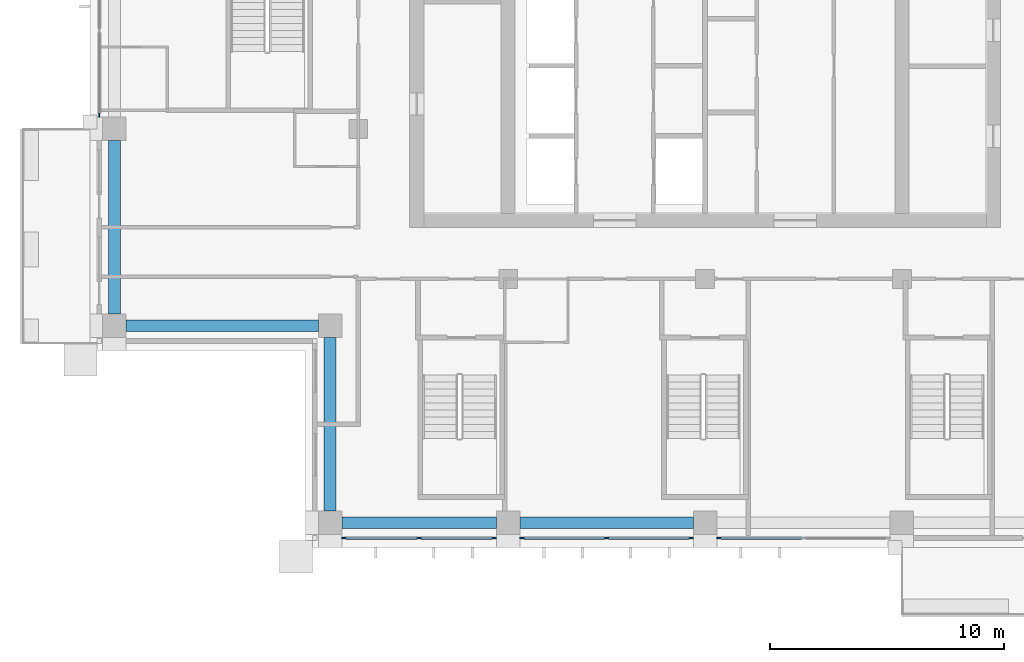
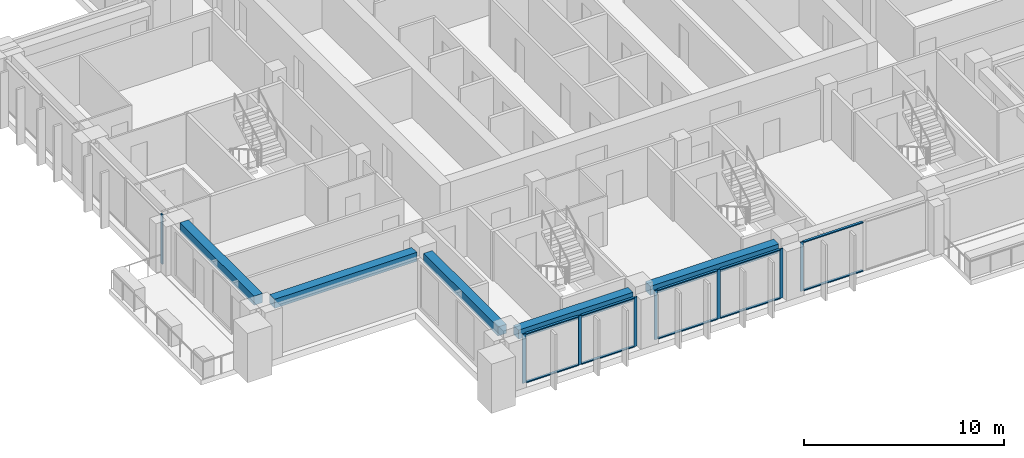
# One storey, part 2 of 19: 18 members, 5 beams, 4 elements without a shape of their own.
"""IFC4 building model written with IfcOpenShell, lengths in metres."""

import ifcopenshell
import ifcopenshell.guid

model = None  # the IFC model being written
_history = None  # IfcOwnerHistory: only IFC2X3 demands one
_inside = {}  # id of a spatial element -> (the spatial element, [elements in it])
_under = {}  # id of a project, library or spatial element -> (it, [spatial elements below it])
_declared = {}  # id of a project -> (the project, [libraries it declares])
_typed = {}  # id of a type object -> (the type object, [elements of that type])
_made_of = {}  # id of a material, layer set ... -> (it, [elements and type objects made of it])


def new_model(schema):
    """Start an empty IFC model of exactly this schema.

    Asked for "IFC4X3", IfcOpenShell would pick the latest addendum, in which some entities
    have other attributes; the version numbers below select the first issue.
    IFC2X3 requires an IfcOwnerHistory on every rooted entity: one is made here for all.
    """
    global model, _history
    if schema == "IFC4X3":
        model = ifcopenshell.file(schema_version=(4, 3, 0, 0))
    else:
        model = ifcopenshell.file(schema=schema)
    _inside.clear()
    _under.clear()
    _declared.clear()
    _typed.clear()
    _made_of.clear()
    _history = None
    if model.schema == "IFC2X3":
        org = make("IfcOrganization", Name="unknown")
        user = make(
            "IfcPersonAndOrganization",
            ThePerson=make("IfcPerson", FamilyName="unknown"),
            TheOrganization=org,
        )
        app = make(
            "IfcApplication",
            ApplicationDeveloper=org,
            Version="unknown",
            ApplicationFullName="unknown",
            ApplicationIdentifier="unknown",
        )
        _history = make(
            "IfcOwnerHistory",
            OwningUser=user,
            OwningApplication=app,
            ChangeAction="ADDED",
            CreationDate=0,
        )
    return model


def make(cls, **values):
    """One entity of the class cls with the attributes given. An attribute that is None is left unset."""
    return model.create_entity(
        cls, **{name: value for name, value in values.items() if value is not None}
    )


def rooted(cls, **values):
    """An entity with a GlobalId (a new one), such as an element, a storey or a relation."""
    return make(cls, GlobalId=ifcopenshell.guid.new(), OwnerHistory=_history, **values)


def si_unit(unit_type, name, prefix=None):
    """IfcSIUnit, for example si_unit("LENGTHUNIT", "METRE", prefix="MILLI")."""
    return make("IfcSIUnit", UnitType=unit_type, Prefix=prefix, Name=name)


def assignment(units):
    """IfcUnitAssignment: the units of a project."""
    return None if units is None else make("IfcUnitAssignment", Units=units)


def point(xyz):
    """IfcCartesianPoint."""
    return None if xyz is None else make("IfcCartesianPoint", Coordinates=xyz)


def direction(xyz):
    """IfcDirection."""
    return None if xyz is None else make("IfcDirection", DirectionRatios=xyz)


def frame(location, z_axis=None, x_axis=None):
    """IfcAxis2Placement3D, a coordinate frame: its origin and axes. An axis left out is left unset."""
    return make(
        "IfcAxis2Placement3D",
        Location=point(location),
        Axis=direction(z_axis),
        RefDirection=direction(x_axis),
    )


def frame_2d(location, x_axis=None):
    """IfcAxis2Placement2D, a coordinate frame in the plane: its origin and x axis."""
    return make(
        "IfcAxis2Placement2D", Location=point(location), RefDirection=direction(x_axis)
    )


def origin():
    """The frame at (0, 0, 0) with its axes left unset."""
    return frame((0.0, 0.0, 0.0))


def origin_2d():
    """The frame at (0, 0) in the plane with its x axis left unset."""
    return frame_2d((0.0, 0.0))


def place(relative_to, where):
    """IfcLocalPlacement: puts the frame where relative to a parent placement (None: the world)."""
    return make(
        "IfcLocalPlacement", PlacementRelTo=relative_to, RelativePlacement=where
    )


def context(
    kind, dimensions, precision=None, world=None, true_north=None, identifier=None
):
    """IfcGeometricRepresentationContext, for example the 3D "Model" context."""
    return make(
        "IfcGeometricRepresentationContext",
        ContextIdentifier=identifier,
        ContextType=kind,
        CoordinateSpaceDimension=dimensions,
        Precision=precision,
        WorldCoordinateSystem=world,
        TrueNorth=true_north,
    )


def subcontext(parent, identifier, kind, view, scale=None):
    """IfcGeometricRepresentationSubContext, for example "Body" below "Model"."""
    return make(
        "IfcGeometricRepresentationSubContext",
        ContextIdentifier=identifier,
        ContextType=kind,
        ParentContext=parent,
        TargetScale=scale,
        TargetView=view,
    )


def project(units=None, contexts=None):
    """IfcProject with its units and contexts."""
    return rooted(
        "IfcProject",
        Name="project",
        RepresentationContexts=contexts,
        UnitsInContext=assignment(units),
    )


def spatial(cls, under=None, at=None, **own):
    """A site, building, storey or space (cls), placed at a placement, below another one or the project."""
    s = rooted(cls, ObjectPlacement=at, **own)
    if under is not None:
        _under.setdefault(under.id(), (under, []))[1].append(s)
    return s


def profile(cls, at=None, kind="AREA", **sizes):
    """A parametric profile (cls). Its sizes go by their IFC names, for example OverallWidth=200.0."""
    return make(cls, ProfileType=kind, Position=at, **sizes)


def rectangle(**sizes):
    """IfcRectangleProfileDef."""
    return profile("IfcRectangleProfileDef", **sizes)


def extrude(swept, where, along, depth):
    """IfcExtrudedAreaSolid: the profile swept, set in the frame where, extruded along a direction by depth."""
    return make(
        "IfcExtrudedAreaSolid",
        SweptArea=swept,
        Position=where,
        ExtrudedDirection=direction(along),
        Depth=depth,
    )


def shape(context_of_items, identifier, shape_type, items):
    """IfcShapeRepresentation: the items that make up one representation, for example the "Body"."""
    return make(
        "IfcShapeRepresentation",
        ContextOfItems=context_of_items,
        RepresentationIdentifier=identifier,
        RepresentationType=shape_type,
        Items=items,
    )


def material(Name=None, Category=None):
    """IfcMaterial."""
    return make("IfcMaterial", Name=Name, Category=Category)


def material_profile(
    of_material, cross_section, Name=None, Category=None, Priority=None
):
    """IfcMaterialProfile: a cross section and its material."""
    return make(
        "IfcMaterialProfile",
        Name=Name,
        Material=of_material,
        Profile=cross_section,
        Priority=Priority,
        Category=Category,
    )


def profile_set(profiles, Name=None, composite=None):
    """IfcMaterialProfileSet."""
    return make(
        "IfcMaterialProfileSet",
        Name=Name,
        MaterialProfiles=profiles,
        CompositeProfile=composite,
    )


def made_of(thing, what):
    """Note that an element or type object is made of a material, layer set ...; save() writes the relation."""
    if what is not None:
        _made_of.setdefault(what.id(), (what, []))[1].append(thing)
    return thing


def type_object(cls, material=None, **own):
    """A type object (cls), such as IfcWallType, which elements share."""
    return made_of(rooted(cls, **own), material)


def element(
    cls,
    number,
    at=None,
    inside=None,
    cuts=None,
    type_object=None,
    material=None,
    context=None,
    identifier="Body",
    shape_type=None,
    held_by="IfcProductDefinitionShape",
    body=None,
    shapes=None,
    **own,
):
    """One element of the class cls, such as IfcWall. Its Tag is "e" and its number.

    at: its placement. inside: the storey or other place that contains it. cuts: it is an
    opening in that element (IfcRelVoidsElement). A single representation is given by context,
    identifier, shape_type and body (its items); several are given by shapes. held_by: the class
    of the entity that holds the representations. save() writes the other relations.
    """
    e = rooted(cls, Tag="e%d" % number, ObjectPlacement=at, **own)
    if body is not None:
        shapes = [shape(context, identifier, shape_type, body)]
    if shapes is not None:
        e.Representation = make(held_by, Representations=shapes)
    if inside is not None:
        _inside.setdefault(inside.id(), (inside, []))[1].append(e)
    if cuts is not None:
        rooted(
            "IfcRelVoidsElement", RelatingBuildingElement=cuts, RelatedOpeningElement=e
        )
    if type_object is not None:
        _typed.setdefault(type_object.id(), (type_object, []))[1].append(e)
    return made_of(e, material)


def aggregate(whole, parts):
    """IfcRelAggregates: a whole, such as a stair, and the parts it consists of."""
    return rooted("IfcRelAggregates", RelatingObject=whole, RelatedObjects=parts)


def save(model, path):
    """Write the relations noted so far, then the file.

    IfcRelAggregates (storeys below a building ...), IfcRelContainedInSpatialStructure (elements
    in a storey), IfcRelDefinesByType, IfcRelAssociatesMaterial and IfcRelDeclares: one each for
    every whole, place, type object, material and project.
    """
    for whole, parts in _under.values():
        aggregate(whole, parts)
    for where, things in _inside.values():
        rooted(
            "IfcRelContainedInSpatialStructure",
            RelatedElements=things,
            RelatingStructure=where,
        )
    for kind, things in _typed.values():
        rooted("IfcRelDefinesByType", RelatedObjects=things, RelatingType=kind)
    for what, things in _made_of.values():
        rooted("IfcRelAssociatesMaterial", RelatedObjects=things, RelatingMaterial=what)
    for by, libraries in _declared.values():
        rooted("IfcRelDeclares", RelatingContext=by, RelatedDefinitions=libraries)
    model.write(path)


model = new_model("IFC4")

# Units and contexts
model_context = context("Model", 3, precision=1e-05, world=origin(), true_north=direction((0.0, 1.0)))
body_context = subcontext(model_context, "Body", "Model", "MODEL_VIEW")
ifc_project = project(units=[si_unit("LENGTHUNIT", "METRE"), si_unit("AREAUNIT", "SQUARE_METRE"), si_unit("VOLUMEUNIT", "CUBIC_METRE"), si_unit("PLANEANGLEUNIT", "RADIAN"), si_unit("MASSUNIT", "GRAM", prefix="KILO")], contexts=[model_context])

# Site, building, storey
site_placement = place(None, origin())
site = spatial("IfcSite", under=ifc_project, at=site_placement, CompositionType="ELEMENT")
building_placement = place(site_placement, origin())
building = spatial("IfcBuilding", under=site, at=building_placement, Name="Vermilion Ogive Tower", CompositionType="ELEMENT")
storey_placement = place(building_placement, frame((0.0, 0.0, 213.5)))
storey = spatial("IfcBuildingStorey", under=building, at=storey_placement, Name="L56", CompositionType="ELEMENT", Elevation=213.5)

# Curtain wall, members
ifc_material_1 = material(Name="Low-iron laminated glazing in aluminium frame", Category="aluminium")
curtain_wall_type = type_object("IfcCurtainWallType", Name="Curtain wall CW7", PredefinedType="NOTDEFINED", material=ifc_material_1)
curtain_wall_1_placement = place(storey_placement, origin())
curtain_wall_1 = element("IfcCurtainWall", 1, at=curtain_wall_1_placement, inside=storey, type_object=curtain_wall_type, Name="Glazed skin S1", PredefinedType="NOTDEFINED")
ifc_material_2 = material(Name="Aluminium mullion", Category="aluminium")
ifc_material_profile_1 = material_profile(ifc_material_2, rectangle(XDim=0.06005859375, YDim=0.179931640625, at=origin_2d()), Name="AL 60x180")
ifc_profile_set_1 = profile_set([ifc_material_profile_1], Name="Aluminium mullion")
member_type_1 = type_object("IfcMemberType", Name="CW7 mullion 60x180", PredefinedType="MULLION", material=ifc_profile_set_1)
member_1_placement = place(storey_placement, frame((-15.409912109375, -21.64990234375, 0.0), z_axis=(0.0, 0.0, 1.0), x_axis=(0.0, 1.0, 0.0)))
member_1 = element("IfcMember", 2, at=member_1_placement, type_object=member_type_1, Name="CW7-S1 mullion 1", PredefinedType="MULLION", context=body_context, shape_type="SweptSolid", body=[
    extrude(rectangle(XDim=0.06005859375, YDim=0.179931640625, at=origin_2d()), origin(), (0.0, 0.0, 1.0), 3.0),
])
member_2_placement = place(storey_placement, frame((-12.199951171875, -21.64990234375, 0.0), z_axis=(0.0, 0.0, 1.0), x_axis=(0.0, 1.0, 0.0)))
member_2 = element("IfcMember", 3, at=member_2_placement, type_object=member_type_1, Name="CW7-S1 mullion 2", PredefinedType="MULLION", context=body_context, shape_type="SweptSolid", body=[
    extrude(rectangle(XDim=0.06005859375, YDim=0.179931640625, at=origin_2d()), origin(), (0.0, 0.0, 1.0), 3.0),
])
member_3_placement = place(storey_placement, frame((-8.989990234375, -21.64990234375, 0.0), z_axis=(0.0, 0.0, 1.0), x_axis=(0.0, 1.0, 0.0)))
member_3 = element("IfcMember", 4, at=member_3_placement, type_object=member_type_1, Name="CW7-S1 mullion 3", PredefinedType="MULLION", context=body_context, shape_type="SweptSolid", body=[
    extrude(rectangle(XDim=0.06005859375, YDim=0.179931640625, at=origin_2d()), origin(), (0.0, 0.0, 1.0), 3.0),
])

curtain_wall_2_placement = place(storey_placement, origin())
curtain_wall_2 = element("IfcCurtainWall", 5, at=curtain_wall_2_placement, inside=storey, type_object=curtain_wall_type, Name="Glazed skin S2", PredefinedType="NOTDEFINED")
member_4_placement = place(storey_placement, frame((-7.81005859375, -21.64990234375, 0.0), z_axis=(0.0, 0.0, 1.0), x_axis=(0.0, 1.0, 0.0)))
member_4 = element("IfcMember", 6, at=member_4_placement, type_object=member_type_1, Name="CW7-S2 mullion 1", PredefinedType="MULLION", context=body_context, shape_type="SweptSolid", body=[
    extrude(rectangle(XDim=0.06005859375, YDim=0.179931640625, at=origin_2d()), origin(), (0.0, 0.0, 1.0), 3.0),
])
member_5_placement = place(storey_placement, frame((-4.199951171875, -21.64990234375, 0.0), z_axis=(0.0, 0.0, 1.0), x_axis=(0.0, 1.0, 0.0)))
member_5 = element("IfcMember", 7, at=member_5_placement, type_object=member_type_1, Name="CW7-S2 mullion 2", PredefinedType="MULLION", context=body_context, shape_type="SweptSolid", body=[
    extrude(rectangle(XDim=0.06005859375, YDim=0.179931640625, at=origin_2d()), origin(), (0.0, 0.0, 1.0), 3.0),
])
member_6_placement = place(storey_placement, frame((-0.590087890625, -21.64990234375, 0.0), z_axis=(0.0, 0.0, 1.0), x_axis=(0.0, 1.0, 0.0)))
member_6 = element("IfcMember", 8, at=member_6_placement, type_object=member_type_1, Name="CW7-S2 mullion 3", PredefinedType="MULLION", context=body_context, shape_type="SweptSolid", body=[
    extrude(rectangle(XDim=0.06005859375, YDim=0.179931640625, at=origin_2d()), origin(), (0.0, 0.0, 1.0), 3.0),
])

# Curtain wall, member
curtain_wall_3_placement = place(storey_placement, origin())
curtain_wall_3 = element("IfcCurtainWall", 9, at=curtain_wall_3_placement, inside=storey, type_object=curtain_wall_type, Name="Glazed skin S3", PredefinedType="NOTDEFINED")
member_7_placement = place(storey_placement, frame((0.590087890625, -21.64990234375, 0.0), z_axis=(0.0, 0.0, 1.0), x_axis=(0.0, 1.0, 0.0)))
member_7 = element("IfcMember", 10, at=member_7_placement, type_object=member_type_1, Name="CW7-S3 mullion 1", PredefinedType="MULLION", context=body_context, shape_type="SweptSolid", body=[
    extrude(rectangle(XDim=0.06005859375, YDim=0.179931640625, at=origin_2d()), origin(), (0.0, 0.0, 1.0), 3.0),
])

curtain_wall_4_placement = place(storey_placement, origin())
curtain_wall_4 = element("IfcCurtainWall", 11, at=curtain_wall_4_placement, inside=storey, type_object=curtain_wall_type, Name="Glazed skin W2", PredefinedType="NOTDEFINED")
member_8_placement = place(storey_placement, frame((-25.85009765625, -3.610107421875, 0.0), z_axis=(0.0, 0.0, 1.0), x_axis=(1.0, 0.0, 0.0)))
member_8 = element("IfcMember", 12, at=member_8_placement, type_object=member_type_1, Name="CW7-W2 mullion 3", PredefinedType="MULLION", context=body_context, shape_type="SweptSolid", body=[
    extrude(rectangle(XDim=0.06005859375, YDim=0.179931640625, at=origin_2d()), origin(), (0.0, 0.0, 1.0), 3.0),
])
aggregate(curtain_wall_4, [member_8])

# Member
ifc_material_3 = material(Name="Aluminium transom", Category="aluminium")
ifc_material_profile_2 = material_profile(ifc_material_3, rectangle(XDim=0.139892578125, YDim=0.06005859375, at=origin_2d()), Name="AL 60x140")
ifc_profile_set_2 = profile_set([ifc_material_profile_2], Name="Aluminium transom")
member_type_2 = type_object("IfcMemberType", Name="CW7 transom 60x140", PredefinedType="USERDEFINED", material=ifc_profile_set_2)
member_9_placement = place(storey_placement, frame((-15.320068359375, -21.64990234375, 0.030029296875), z_axis=(1.0, 0.0, 0.0), x_axis=(0.0, 1.0, 0.0)))
member_9 = element("IfcMember", 13, at=member_9_placement, type_object=member_type_2, Name="CW7-S1 transom 1.1", ObjectType="TRANSOM", PredefinedType="USERDEFINED", context=body_context, shape_type="SweptSolid", body=[
    extrude(rectangle(XDim=0.139892578125, YDim=0.06005859375, at=origin_2d()), origin(), (0.0, 0.0, 1.0), 3.030029296875),
])

member_10_placement = place(storey_placement, frame((-15.320068359375, -21.64990234375, 2.969970703125), z_axis=(1.0, 0.0, 0.0), x_axis=(0.0, 1.0, 0.0)))
member_10 = element("IfcMember", 14, at=member_10_placement, type_object=member_type_2, Name="CW7-S1 transom 1.2", ObjectType="TRANSOM", PredefinedType="USERDEFINED", context=body_context, shape_type="SweptSolid", body=[
    extrude(rectangle(XDim=0.139892578125, YDim=0.06005859375, at=origin_2d()), origin(), (0.0, 0.0, 1.0), 3.030029296875),
])

member_11_placement = place(storey_placement, frame((-12.110107421875, -21.64990234375, 0.030029296875), z_axis=(1.0, 0.0, 0.0), x_axis=(0.0, 1.0, 0.0)))
member_11 = element("IfcMember", 15, at=member_11_placement, type_object=member_type_2, Name="CW7-S1 transom 2.1", ObjectType="TRANSOM", PredefinedType="USERDEFINED", context=body_context, shape_type="SweptSolid", body=[
    extrude(rectangle(XDim=0.139892578125, YDim=0.06005859375, at=origin_2d()), origin(), (0.0, 0.0, 1.0), 3.030029296875),
])

member_12_placement = place(storey_placement, frame((-12.110107421875, -21.64990234375, 2.969970703125), z_axis=(1.0, 0.0, 0.0), x_axis=(0.0, 1.0, 0.0)))
member_12 = element("IfcMember", 16, at=member_12_placement, type_object=member_type_2, Name="CW7-S1 transom 2.2", ObjectType="TRANSOM", PredefinedType="USERDEFINED", context=body_context, shape_type="SweptSolid", body=[
    extrude(rectangle(XDim=0.139892578125, YDim=0.06005859375, at=origin_2d()), origin(), (0.0, 0.0, 1.0), 3.030029296875),
])

aggregate(curtain_wall_1, [member_1, member_2, member_3, member_9, member_10, member_11, member_12])

member_13_placement = place(storey_placement, frame((-7.719970703125, -21.64990234375, 0.030029296875), z_axis=(1.0, 0.0, 0.0), x_axis=(0.0, 1.0, 0.0)))
member_13 = element("IfcMember", 17, at=member_13_placement, type_object=member_type_2, Name="CW7-S2 transom 1.1", ObjectType="TRANSOM", PredefinedType="USERDEFINED", context=body_context, shape_type="SweptSolid", body=[
    extrude(rectangle(XDim=0.139892578125, YDim=0.06005859375, at=origin_2d()), origin(), (0.0, 0.0, 1.0), 3.429931640625),
])

member_14_placement = place(storey_placement, frame((-7.719970703125, -21.64990234375, 2.969970703125), z_axis=(1.0, 0.0, 0.0), x_axis=(0.0, 1.0, 0.0)))
member_14 = element("IfcMember", 18, at=member_14_placement, type_object=member_type_2, Name="CW7-S2 transom 1.2", ObjectType="TRANSOM", PredefinedType="USERDEFINED", context=body_context, shape_type="SweptSolid", body=[
    extrude(rectangle(XDim=0.139892578125, YDim=0.06005859375, at=origin_2d()), origin(), (0.0, 0.0, 1.0), 3.429931640625),
])

member_15_placement = place(storey_placement, frame((-4.110107421875, -21.64990234375, 0.030029296875), z_axis=(1.0, 0.0, 0.0), x_axis=(0.0, 1.0, 0.0)))
member_15 = element("IfcMember", 19, at=member_15_placement, type_object=member_type_2, Name="CW7-S2 transom 2.1", ObjectType="TRANSOM", PredefinedType="USERDEFINED", context=body_context, shape_type="SweptSolid", body=[
    extrude(rectangle(XDim=0.139892578125, YDim=0.06005859375, at=origin_2d()), origin(), (0.0, 0.0, 1.0), 3.43017578125),
])

member_16_placement = place(storey_placement, frame((-4.110107421875, -21.64990234375, 2.969970703125), z_axis=(1.0, 0.0, 0.0), x_axis=(0.0, 1.0, 0.0)))
member_16 = element("IfcMember", 20, at=member_16_placement, type_object=member_type_2, Name="CW7-S2 transom 2.2", ObjectType="TRANSOM", PredefinedType="USERDEFINED", context=body_context, shape_type="SweptSolid", body=[
    extrude(rectangle(XDim=0.139892578125, YDim=0.06005859375, at=origin_2d()), origin(), (0.0, 0.0, 1.0), 3.43017578125),
])

aggregate(curtain_wall_2, [member_4, member_5, member_6, member_13, member_14, member_15, member_16])

member_17_placement = place(storey_placement, frame((0.679931640625, -21.64990234375, 0.030029296875), z_axis=(1.0, 0.0, 0.0), x_axis=(0.0, 1.0, 0.0)))
member_17 = element("IfcMember", 21, at=member_17_placement, type_object=member_type_2, Name="CW7-S3 transom 1.1", ObjectType="TRANSOM", PredefinedType="USERDEFINED", context=body_context, shape_type="SweptSolid", body=[
    extrude(rectangle(XDim=0.139892578125, YDim=0.06005859375, at=origin_2d()), origin(), (0.0, 0.0, 1.0), 3.43017578125),
])

member_18_placement = place(storey_placement, frame((0.679931640625, -21.64990234375, 2.969970703125), z_axis=(1.0, 0.0, 0.0), x_axis=(0.0, 1.0, 0.0)))
member_18 = element("IfcMember", 22, at=member_18_placement, type_object=member_type_2, Name="CW7-S3 transom 1.2", ObjectType="TRANSOM", PredefinedType="USERDEFINED", context=body_context, shape_type="SweptSolid", body=[
    extrude(rectangle(XDim=0.139892578125, YDim=0.06005859375, at=origin_2d()), origin(), (0.0, 0.0, 1.0), 3.43017578125),
])

aggregate(curtain_wall_3, [member_7, member_17, member_18])

# Beams
ifc_material_4 = material(Name="Concrete B45", Category="concrete")
ifc_material_profile_3 = material_profile(ifc_material_4, rectangle(XDim=0.5, YDim=0.550048828125, at=origin_2d()), Name="500 x 550")
ifc_profile_set_3 = profile_set([ifc_material_profile_3], Name="Concrete B45")
beam_type = type_object("IfcBeamType", Name="Edge beam 500 x 550 B45", PredefinedType="BEAM", material=ifc_profile_set_3)
beam_1_placement = place(storey_placement, frame((-15.5, -21.0, 2.72509765625), z_axis=(1.0, 0.0, 0.0), x_axis=(0.0, 1.0, 0.0)))
element("IfcBeam", 23, at=beam_1_placement, inside=storey, type_object=beam_type, Name="L56-EB-1", PredefinedType="BEAM", context=body_context, shape_type="SweptSolid", body=[
    extrude(rectangle(XDim=0.5, YDim=0.550048828125, at=origin_2d()), origin(), (0.0, 0.0, 1.0), 6.60009765625),
])
beam_2_placement = place(storey_placement, frame((-7.89990234375, -21.0, 2.72509765625), z_axis=(1.0, 0.0, 0.0), x_axis=(0.0, 1.0, 0.0)))
element("IfcBeam", 24, at=beam_2_placement, inside=storey, type_object=beam_type, Name="L56-EB-2", PredefinedType="BEAM", context=body_context, shape_type="SweptSolid", body=[
    extrude(rectangle(XDim=0.5, YDim=0.550048828125, at=origin_2d()), origin(), (0.0, 0.0, 1.0), 7.39990234375),
])
beam_3_placement = place(storey_placement, frame((-25.199951171875, -4.699951171875, 2.72509765625), z_axis=(0.0, -1.0, 0.0), x_axis=(1.0, 0.0, 0.0)))
element("IfcBeam", 25, at=beam_3_placement, inside=storey, type_object=beam_type, Name="L56-EB-16", PredefinedType="BEAM", context=body_context, shape_type="SweptSolid", body=[
    extrude(rectangle(XDim=0.5, YDim=0.550048828125, at=origin_2d()), origin(), (0.0, 0.0, 1.0), 7.400146484375),
])
beam_4_placement = place(storey_placement, frame((-24.699951171875, -12.60009765625, 2.72509765625), z_axis=(1.0, 0.0, 0.0), x_axis=(0.0, 1.0, 0.0)))
element("IfcBeam", 26, at=beam_4_placement, inside=storey, type_object=beam_type, Name="L56-EB-17", PredefinedType="BEAM", context=body_context, shape_type="SweptSolid", body=[
    extrude(rectangle(XDim=0.5, YDim=0.550048828125, at=origin_2d()), origin(), (0.0, 0.0, 1.0), 8.199951171875),
])
beam_5_placement = place(storey_placement, frame((-16.0, -13.10009765625, 2.72509765625), z_axis=(0.0, -1.0, 0.0), x_axis=(1.0, 0.0, 0.0)))
element("IfcBeam", 27, at=beam_5_placement, inside=storey, type_object=beam_type, Name="L56-EB-18", PredefinedType="BEAM", context=body_context, shape_type="SweptSolid", body=[
    extrude(rectangle(XDim=0.5, YDim=0.550048828125, at=origin_2d()), origin(), (0.0, 0.0, 1.0), 7.39990234375),
])

save(model, "model.ifc")
